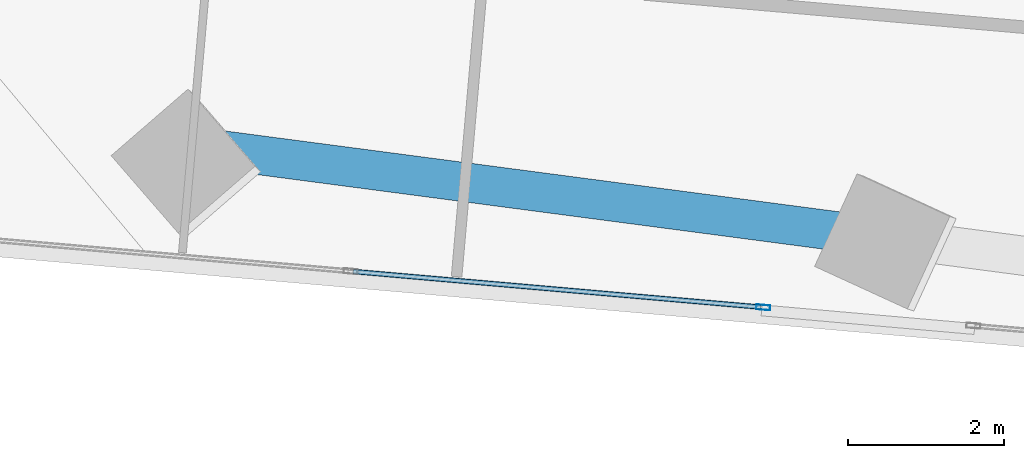
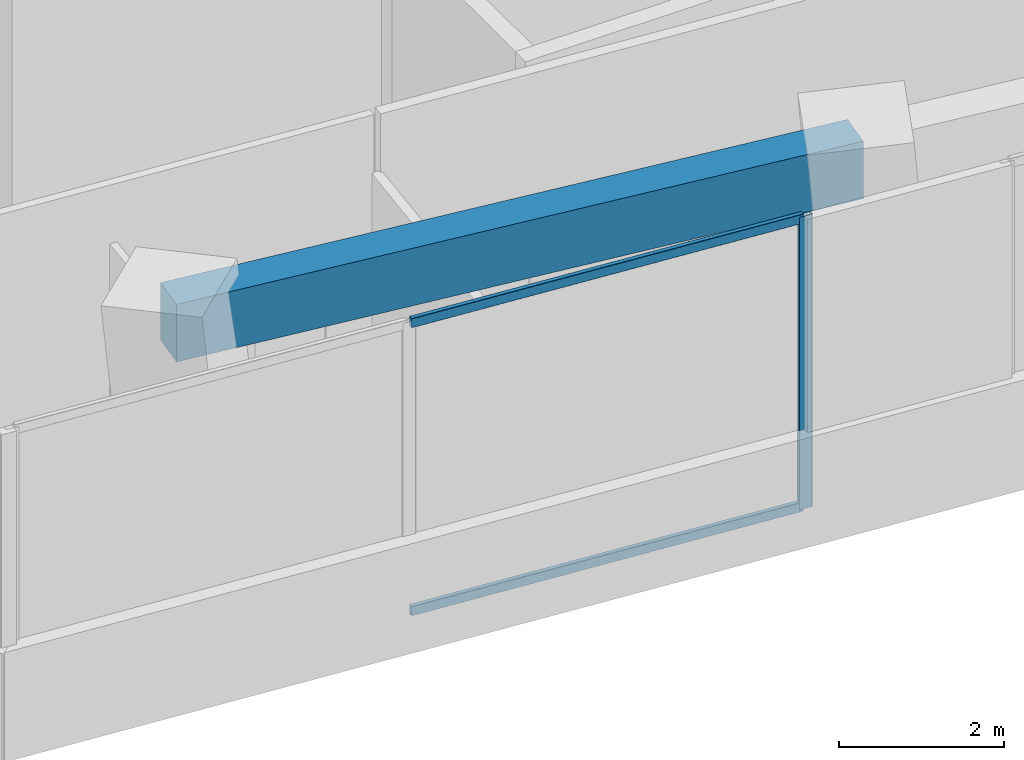
# One storey, part 3 of 23: 3 members, 1 beam, 1 element without a shape of its own.
"""IFC4 building model written with IfcOpenShell, lengths in metres."""

from ifc_helpers import new_model, si_unit, direction, frame, origin, origin_2d, place, context, subcontext, project, spatial, rectangle, hollow_rectangle, extrude, source, transform, mapped, material, material_profile, profile_set, type_object, element, aggregate, save


model = new_model("IFC4")

# Units and contexts
model_context = context("Model", 3, precision=1e-05, world=origin(), true_north=direction((0.0, 1.0)))
body_context = subcontext(model_context, "Body", "Model", "MODEL_VIEW")
ifc_project = project(units=[si_unit("LENGTHUNIT", "METRE"), si_unit("AREAUNIT", "SQUARE_METRE"), si_unit("VOLUMEUNIT", "CUBIC_METRE"), si_unit("PLANEANGLEUNIT", "RADIAN"), si_unit("MASSUNIT", "GRAM", prefix="KILO")], contexts=[model_context])

# Site, building, storey
site_placement = place(None, origin())
site = spatial("IfcSite", under=ifc_project, at=site_placement, CompositionType="ELEMENT")
building_placement = place(site_placement, origin())
building = spatial("IfcBuilding", under=site, at=building_placement, Name="Torre Montelarca", CompositionType="ELEMENT")
storey_placement = place(building_placement, frame((0.0, 0.0, 56.800048828125)))
storey = spatial("IfcBuildingStorey", under=building, at=storey_placement, Name="L12", CompositionType="ELEMENT", Elevation=56.800048828125)

# Beam
ifc_material_1 = material(Name="Concrete C55/67", Category="concrete")
ifc_material_profile_1 = material_profile(ifc_material_1, rectangle(XDim=0.5, YDim=0.85009765625, at=origin_2d()), Name="RCB500X850", Category="concrete")
ifc_profile_set_1 = profile_set([ifc_material_profile_1], Name="Concrete C55/67")
beam_type = type_object("IfcBeamType", Name="BM-SP-RC850-EXT", PredefinedType="SPANDREL", material=ifc_profile_set_1)
shared_shape_1 = source(origin(), body_context, "Body", "SweptSolid", [
    extrude(rectangle(XDim=0.5, YDim=0.85009765625, at=origin_2d()), origin(), (0.0, 0.0, 1.0), 9.0),
])
beam_placement = place(storey_placement, frame((6.86181640625, 16.57861328125, 4.135009765625), z_axis=(0.991447554135, -0.130505737036, 0.0), x_axis=(0.130505737036, 0.991447554135, 0.0)))
element("IfcBeam", 1, at=beam_placement, inside=storey, type_object=beam_type, Name="L12 Grid Girder X 9.0-18.0 at Y=14.8", PredefinedType="SPANDREL", context=body_context, shape_type="MappedRepresentation", body=[
    mapped(shared_shape_1, transform((0.0, 0.0, 0.0), scale=1.0)),
])

# Curtain wall, members
ifc_material_2 = material(Name="Insulated low-E laminated glass", Category="glass")
curtain_wall_type = type_object("IfcCurtainWallType", Name="CW-SYS-Z1", PredefinedType="USERDEFINED", material=ifc_material_2)
curtain_wall_placement = place(storey_placement, origin())
curtain_wall = element("IfcCurtainWall", 2, at=curtain_wall_placement, inside=storey, type_object=curtain_wall_type, Name="L12 Curtain Wall Run CW-T3-L12-E01-B1", ObjectType="UNITISED GLAZING", PredefinedType="USERDEFINED")
ifc_material_3 = material(Name="Anodised aluminium AA 6063-T6", Category="aluminium")
ifc_material_profile_2 = material_profile(ifc_material_3, hollow_rectangle(XDim=0.06494140625, YDim=0.179931640625, WallThickness=0.00390625, InnerFilletRadius=0.00390625, OuterFilletRadius=0.008056640625, at=origin_2d()), Name="ALU65X180X4", Category="aluminium")
ifc_profile_set_2 = profile_set([ifc_material_profile_2], Name="Anodised aluminium AA 6063-T6")
member_type_1 = type_object("IfcMemberType", Name="CWM-ALU180", PredefinedType="MULLION", material=ifc_profile_set_2)
shared_shape_2 = source(origin(), body_context, "Body", "SweptSolid", [
    extrude(hollow_rectangle(XDim=0.06494140625, YDim=0.179931640625, WallThickness=0.00390625, InnerFilletRadius=0.00390625, OuterFilletRadius=0.008056640625, at=origin_2d()), origin(), (0.0, 0.0, 1.0), 4.320068359375),
])
member_1_placement = place(storey_placement, frame((14.5361328125, 14.47021484375, 0.0), z_axis=(0.0, 0.0, 1.0), x_axis=(0.08716206145, 0.996194145257, 0.0)))
member_1 = element("IfcMember", 3, at=member_1_placement, type_object=member_type_1, Name="CW mullion 3", PredefinedType="MULLION", context=body_context, shape_type="MappedRepresentation", body=[
    mapped(shared_shape_2, transform((0.0, 0.0, 0.0), scale=1.0)),
])
ifc_material_profile_3 = material_profile(ifc_material_3, hollow_rectangle(XDim=0.06494140625, YDim=0.139892578125, WallThickness=0.00390625, InnerFilletRadius=0.00390625, OuterFilletRadius=0.008056640625, at=origin_2d()), Name="ALU65X140X4", Category="aluminium")
ifc_profile_set_3 = profile_set([ifc_material_profile_3], Name="Anodised aluminium AA 6063-T6")
member_type_2 = type_object("IfcMemberType", Name="CWT-ALU140", PredefinedType="USERDEFINED", material=ifc_profile_set_3)
shared_shape_3 = source(origin(), body_context, "Body", "SweptSolid", [
    extrude(hollow_rectangle(XDim=0.06494140625, YDim=0.139892578125, WallThickness=0.00390625, InnerFilletRadius=0.00390625, OuterFilletRadius=0.008056640625, at=origin_2d()), origin(), (0.0, 0.0, 1.0), 5.23095703125),
])
member_2_placement = place(storey_placement, frame((9.292724609375, 14.928955078125, 0.032470703125), z_axis=(0.996196503219, -0.08713510759, 0.0), x_axis=(0.08713510759, 0.996196503219, 0.0)))
member_2 = element("IfcMember", 4, at=member_2_placement, type_object=member_type_2, Name="CW transom 2.1", ObjectType="TRANSOM", PredefinedType="USERDEFINED", context=body_context, shape_type="MappedRepresentation", body=[
    mapped(shared_shape_3, transform((0.0, 0.0, 0.0), scale=1.0)),
])
member_3_placement = place(storey_placement, frame((9.292724609375, 14.928955078125, 4.287353515625), z_axis=(0.996196503219, -0.08713510759, 0.0), x_axis=(0.08713510759, 0.996196503219, 0.0)))
member_3 = element("IfcMember", 5, at=member_3_placement, type_object=member_type_2, Name="CW transom 2.2", ObjectType="TRANSOM", PredefinedType="USERDEFINED", context=body_context, shape_type="MappedRepresentation", body=[
    mapped(shared_shape_3, transform((0.0, 0.0, 0.0), scale=1.0)),
])
aggregate(curtain_wall, [member_1, member_2, member_3])

save(model, "model.ifc")
